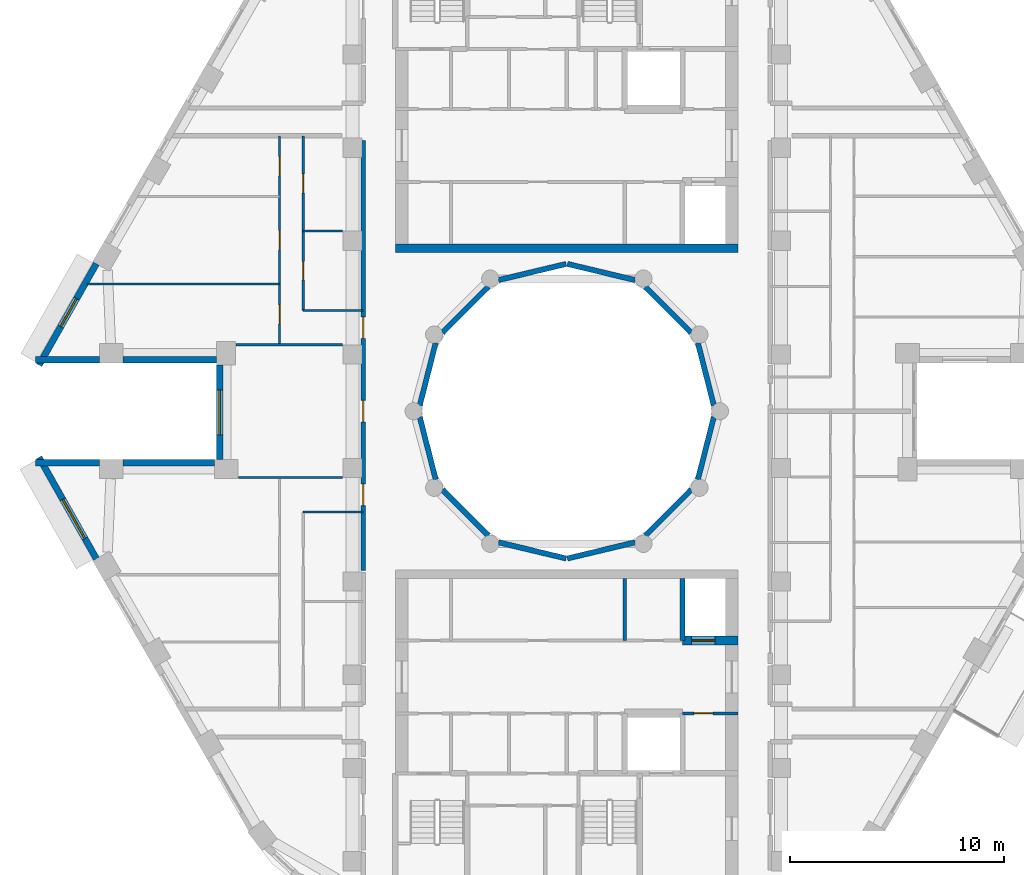
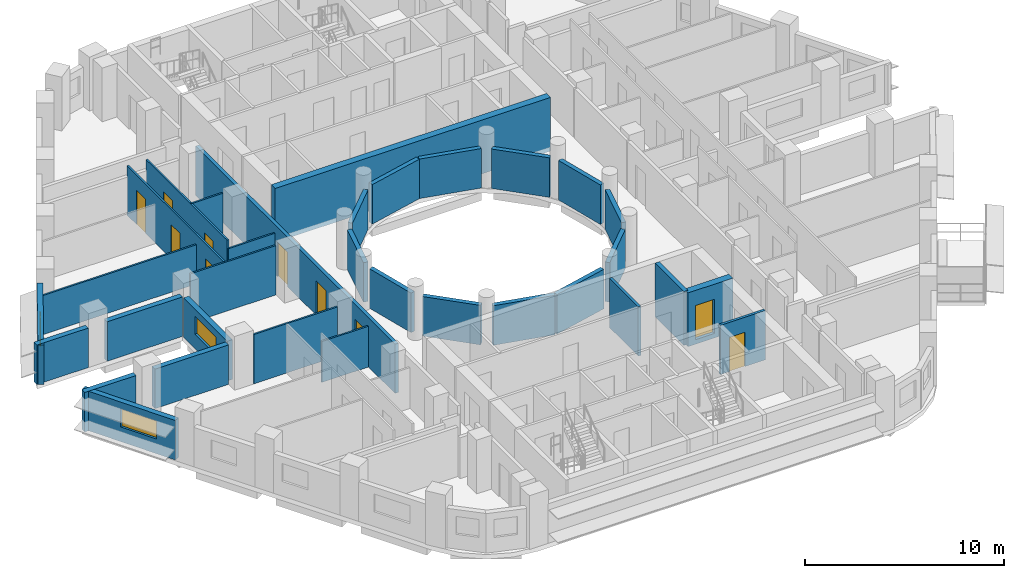
# One storey, part 4 of 12: 33 walls, 10 doors, 3 windows, 13 openings.
"""IFC4 building model written with IfcOpenShell, lengths in metres."""

from ifc_helpers import new_model, si_unit, direction, frame, frame_2d, origin, place, context, subcontext, project, spatial, rectangle, extrude, material, layer, layer_set, type_object, element, fill, save


model = new_model("IFC4")

# Units and contexts
model_context = context("Model", 3, precision=1e-05, world=origin(), true_north=direction((0.0, 1.0)))
body_context = subcontext(model_context, "Body", "Model", "MODEL_VIEW")
ifc_project = project(units=[si_unit("LENGTHUNIT", "METRE"), si_unit("AREAUNIT", "SQUARE_METRE"), si_unit("VOLUMEUNIT", "CUBIC_METRE"), si_unit("PLANEANGLEUNIT", "RADIAN"), si_unit("MASSUNIT", "GRAM", prefix="KILO")], contexts=[model_context])

# Site, building, storey
site_placement = place(None, origin())
site = spatial("IfcSite", under=ifc_project, at=site_placement, CompositionType="ELEMENT")
building_placement = place(site_placement, origin())
building = spatial("IfcBuilding", under=site, at=building_placement, Name="Nakaniwa Court", CompositionType="ELEMENT")
storey_placement = place(building_placement, frame((0.0, 0.0, 236.10009765625)))
storey = spatial("IfcBuildingStorey", under=building, at=storey_placement, Name="L61", CompositionType="ELEMENT", Elevation=236.10009765625)

# Wall, openings, doors
ifc_material_1 = material(Name="Acoustic double stud partition")
ifc_layer_1 = layer(ifc_material_1, 0.199951171875)
ifc_layer_set_1 = layer_set([ifc_layer_1], Name="Acoustic double stud partition")
wall_type_1 = type_object("IfcWallType", Name="Acoustic double stud partition 200", PredefinedType="PARTITIONING", material=ifc_layer_set_1)
wall_1_placement = place(storey_placement, frame((70.5, 72.576904296875, 0.0), z_axis=(0.0, 0.0, 1.0), x_axis=(0.0, 1.0, 0.0)))
wall_1 = element("IfcWall", 1, at=wall_1_placement, inside=storey, type_object=wall_type_1, Name="Partition PW-086", PredefinedType="PARTITIONING", context=body_context, shape_type="SweptSolid", body=[
    extrude(rectangle(XDim=20.051025390625, YDim=0.199951171875, at=frame_2d((10.025390625, 0.0))), origin(), (0.0, 0.0, 1.0), 3.02490234375),
])
opening_1_placement = place(wall_1_placement, frame((3.02294921875, 0.0, 0.0)))
opening_1 = element("IfcOpeningElement", 2, at=opening_1_placement, cuts=wall_1, Name="Opening D-01-03", PredefinedType="OPENING", context=body_context, shape_type="SweptSolid", body=[
    extrude(rectangle(XDim=1.0, YDim=2.10009765625, at=frame_2d((0.5, 1.050048828125))), frame((0.0, 0.10986328125, 0.0), z_axis=(0.0, -1.0, 0.0), x_axis=(1.0, 0.0, 0.0)), (0.0, 0.0, 1.0), 0.219970703125),
])
opening_2_placement = place(wall_1_placement, frame((6.923095703125, 0.0, 0.0)))
opening_2 = element("IfcOpeningElement", 3, at=opening_2_placement, cuts=wall_1, Name="Opening D-02-04", PredefinedType="OPENING", context=body_context, shape_type="SweptSolid", body=[
    extrude(rectangle(XDim=1.0, YDim=2.10009765625, at=frame_2d((0.5, 1.050048828125))), frame((0.0, 0.10986328125, 0.0), z_axis=(0.0, -1.0, 0.0), x_axis=(1.0, 0.0, 0.0)), (0.0, 0.0, 1.0), 0.219970703125),
])
opening_3_placement = place(wall_1_placement, frame((10.822998046875, 0.0, 0.0)))
opening_3 = element("IfcOpeningElement", 4, at=opening_3_placement, cuts=wall_1, Name="Opening D-01-04", PredefinedType="OPENING", context=body_context, shape_type="SweptSolid", body=[
    extrude(rectangle(XDim=1.0, YDim=2.10009765625, at=frame_2d((0.5, 1.050048828125))), frame((0.0, 0.10986328125, 0.0), z_axis=(0.0, -1.0, 0.0), x_axis=(1.0, 0.0, 0.0)), (0.0, 0.0, 1.0), 0.219970703125),
])
ifc_material_2 = material(Name="Solid core timber door set, black veneer", Category="wood")
door_type_1 = type_object("IfcDoorType", Name="Flat entrance door 1000", OperationType="NOTDEFINED", PredefinedType="DOOR", material=ifc_material_2)
door_1_placement = place(opening_1_placement, origin())
door_1 = element("IfcDoor", 5, at=door_1_placement, inside=storey, type_object=door_type_1, Name="Door D-01-03 L61-048", OperationType="SINGLE_SWING_LEFT", OverallHeight=2.10009765625, OverallWidth=1.0, PredefinedType="DOOR", context=body_context, shape_type="SweptSolid", body=[
    extrude(rectangle(XDim=1.0, YDim=2.10009765625, at=frame_2d((0.5, 1.050048828125))), frame((0.0, 0.02490234375, 0.0), z_axis=(0.0, -1.0, 0.0), x_axis=(1.0, 0.0, 0.0)), (0.0, 0.0, 1.0), 0.050048828125),
])
fill(opening_1, door_1)
door_2_placement = place(opening_3_placement, origin())
door_2 = element("IfcDoor", 6, at=door_2_placement, inside=storey, type_object=door_type_1, Name="Door D-01-04 L61-055", OperationType="SINGLE_SWING_RIGHT", OverallHeight=2.10009765625, OverallWidth=1.0, PredefinedType="DOOR", context=body_context, shape_type="SweptSolid", body=[
    extrude(rectangle(XDim=1.0, YDim=2.10009765625, at=frame_2d((0.5, 1.050048828125))), frame((0.0, 0.02490234375, 0.0), z_axis=(0.0, -1.0, 0.0), x_axis=(1.0, 0.0, 0.0)), (0.0, 0.0, 1.0), 0.050048828125),
])
fill(opening_3, door_2)
door_type_2 = type_object("IfcDoorType", Name="Internal door 1000", OperationType="NOTDEFINED", PredefinedType="DOOR", material=ifc_material_2)
door_3_placement = place(opening_2_placement, origin())
door_3 = element("IfcDoor", 7, at=door_3_placement, inside=storey, type_object=door_type_2, Name="Door D-02-04 L61-054", OperationType="SINGLE_SWING_LEFT", OverallHeight=2.10009765625, OverallWidth=1.0, PredefinedType="DOOR", context=body_context, shape_type="SweptSolid", body=[
    extrude(rectangle(XDim=1.0, YDim=2.10009765625, at=frame_2d((0.5, 1.050048828125))), frame((0.0, 0.02490234375, 0.0), z_axis=(0.0, -1.0, 0.0), x_axis=(1.0, 0.0, 0.0)), (0.0, 0.0, 1.0), 0.050048828125),
])
fill(opening_2, door_3)

# Wall, opening, window
ifc_material_3 = material(Name="Charcoal ceramic cladding")
ifc_layer_2 = layer(ifc_material_3, 0.02, Name="Ceramic cladding")
ifc_material_4 = material(Name="Ventilated air cavity")
ifc_layer_3 = layer(ifc_material_4, 0.04, ventilated=True, Name="Ventilated cavity")
ifc_material_5 = material(Name="Mineral wool insulation")
ifc_layer_4 = layer(ifc_material_5, 0.1, Name="Insulation")
ifc_material_6 = material(Name="Cement bonded sheathing board")
ifc_layer_5 = layer(ifc_material_6, 0.012, Name="Sheathing")
ifc_material_7 = material(Name="Cold-formed galvanised stud frame with mineral wool infill")
ifc_layer_6 = layer(ifc_material_7, 0.1, Name="Stud frame")
ifc_material_8 = material(Name="Fire-rated gypsum plasterboard lining")
ifc_layer_7 = layer(ifc_material_8, 0.028, Name="Lining")
ifc_layer_set_2 = layer_set([ifc_layer_2, ifc_layer_3, ifc_layer_4, ifc_layer_5, ifc_layer_6, ifc_layer_7], Name="Charcoal ceramic faced external wall system")
wall_type_2 = type_object("IfcWallType", Name="Black ceramic faced external wall 300", PredefinedType="SOLIDWALL", material=ifc_layer_set_2)
wall_2_placement = place(storey_placement, frame((58.048095703125, 86.886474609375, 0.0), z_axis=(0.0, 0.0, 1.0), x_axis=(-0.492080931903, -0.870549456641, 0.0)))
wall_2 = element("IfcWall", 8, at=wall_2_placement, inside=storey, type_object=wall_type_2, Name="L61 external wall 14", PredefinedType="SOLIDWALL", context=body_context, shape_type="SweptSolid", body=[
    extrude(rectangle(XDim=5.436767578125, YDim=0.300048828125, at=frame_2d((2.71826171875, 0.0))), origin(), (0.0, 0.0, 1.0), 2.4248046875),
])
opening_4_placement = place(wall_2_placement, frame((1.877685546875, 0.0, 0.89990234375)))
opening_4 = element("IfcOpeningElement", 9, at=opening_4_placement, cuts=wall_2, Name="Opening W5.17", PredefinedType="OPENING", context=body_context, shape_type="SweptSolid", body=[
    extrude(rectangle(XDim=1.5, YDim=1.10009765625, at=frame_2d((0.75, 0.550048828125))), frame((0.0, 0.159912109375, 0.0), z_axis=(0.0, -1.0, 0.0), x_axis=(1.0, 0.0, 0.0)), (0.0, 0.0, 1.0), 0.320068359375),
])
ifc_material_9 = material(Name="Black anodised aluminium frame with dark low-E laminated double glazing", Category="aluminium")
window_type_1 = type_object("IfcWindowType", Name="Dark glass window 1500x1100 sill 900", PartitioningType="SINGLE_PANEL", PredefinedType="WINDOW", material=ifc_material_9)
window_1_placement = place(opening_4_placement, origin())
window_1 = element("IfcWindow", 10, at=window_1_placement, inside=storey, type_object=window_type_1, Name="L61 bedroom window 14-1", OverallHeight=1.10009765625, OverallWidth=1.5, PartitioningType="SINGLE_PANEL", PredefinedType="WINDOW", context=body_context, shape_type="SweptSolid", body=[
    extrude(rectangle(XDim=1.5, YDim=1.10009765625, at=frame_2d((0.75, 0.550048828125))), frame((0.0, 0.030029296875, 0.0), z_axis=(0.0, -1.0, 0.0), x_axis=(1.0, 0.0, 0.0)), (0.0, 0.0, 1.0), 0.06005859375),
])
fill(opening_4, window_1)

# Walls
wall_3_placement = place(storey_placement, frame((55.2021484375, 82.39990234375, 0.0), z_axis=(0.0, 0.0, 1.0), x_axis=(1.0, 0.0, 0.0)))
element("IfcWall", 11, at=wall_3_placement, inside=storey, type_object=wall_type_2, Name="L61 external wall 15", PredefinedType="SOLIDWALL", context=body_context, shape_type="SweptSolid", body=[
    extrude(rectangle(XDim=2.98779296875, YDim=0.300048828125, at=frame_2d((1.493896484375, 0.0))), origin(), (0.0, 0.0, 1.0), 2.4248046875),
])
wall_4_placement = place(storey_placement, frame((59.281982421875, 82.39990234375, 0.0), z_axis=(0.0, 0.0, 1.0), x_axis=(1.0, 0.0, 0.0)))
element("IfcWall", 12, at=wall_4_placement, inside=storey, type_object=wall_type_2, Name="L61 external wall 16", PredefinedType="SOLIDWALL", context=body_context, shape_type="SweptSolid", body=[
    extrude(rectangle(XDim=4.37255859375, YDim=0.300048828125, at=frame_2d((2.186279296875, 0.0))), origin(), (0.0, 0.0, 1.0), 2.4248046875),
])

# Wall, opening, window
wall_5_placement = place(storey_placement, frame((63.800537109375, 82.154052734375, 0.0), z_axis=(0.0, 0.0, 1.0), x_axis=(0.0, -1.0, 0.0)))
wall_5 = element("IfcWall", 13, at=wall_5_placement, inside=storey, type_object=wall_type_2, Name="L61 external wall 17", PredefinedType="SOLIDWALL", context=body_context, shape_type="SweptSolid", body=[
    extrude(rectangle(XDim=4.407958984375, YDim=0.300048828125, at=frame_2d((2.2041015625, 0.0))), origin(), (0.0, 0.0, 1.0), 2.4248046875),
])
opening_5_placement = place(wall_5_placement, frame((1.154052734375, 0.0, 0.89990234375)))
opening_5 = element("IfcOpeningElement", 14, at=opening_5_placement, cuts=wall_5, Name="Opening W7.18", PredefinedType="OPENING", context=body_context, shape_type="SweptSolid", body=[
    extrude(rectangle(XDim=2.10009765625, YDim=1.10009765625, at=frame_2d((1.050048828125, 0.550048828125))), frame((0.0, 0.159912109375, 0.0), z_axis=(0.0, -1.0, 0.0), x_axis=(1.0, 0.0, 0.0)), (0.0, 0.0, 1.0), 0.320068359375),
])
window_type_2 = type_object("IfcWindowType", Name="Dark glass window 2100x1100 sill 900", PartitioningType="SINGLE_PANEL", PredefinedType="WINDOW", material=ifc_material_9)
window_2_placement = place(opening_5_placement, origin())
window_2 = element("IfcWindow", 15, at=window_2_placement, inside=storey, type_object=window_type_2, Name="L61 habitable room window 17-0", OverallHeight=1.10009765625, OverallWidth=2.10009765625, PartitioningType="SINGLE_PANEL", PredefinedType="WINDOW", context=body_context, shape_type="SweptSolid", body=[
    extrude(rectangle(XDim=2.10009765625, YDim=1.10009765625, at=frame_2d((1.050048828125, 0.550048828125))), frame((0.0, 0.030029296875, 0.0), z_axis=(0.0, -1.0, 0.0), x_axis=(1.0, 0.0, 0.0)), (0.0, 0.0, 1.0), 0.06005859375),
])
fill(opening_5, window_2)

# Walls
wall_6_placement = place(storey_placement, frame((63.554443359375, 77.60009765625, 0.0), z_axis=(0.0, 0.0, 1.0), x_axis=(-1.0, 0.0, 0.0)))
element("IfcWall", 16, at=wall_6_placement, inside=storey, type_object=wall_type_2, Name="L61 external wall 18", PredefinedType="SOLIDWALL", context=body_context, shape_type="SweptSolid", body=[
    extrude(rectangle(XDim=4.2724609375, YDim=0.300048828125, at=frame_2d((2.13623046875, 0.0))), origin(), (0.0, 0.0, 1.0), 2.4248046875),
])
wall_7_placement = place(storey_placement, frame((58.18994140625, 77.60009765625, 0.0), z_axis=(0.0, 0.0, 1.0), x_axis=(-1.0, 0.0, 0.0)))
element("IfcWall", 17, at=wall_7_placement, inside=storey, type_object=wall_type_2, Name="L61 external wall 19", PredefinedType="SOLIDWALL", context=body_context, shape_type="SweptSolid", body=[
    extrude(rectangle(XDim=2.98779296875, YDim=0.300048828125, at=frame_2d((1.493896484375, 0.0))), origin(), (0.0, 0.0, 1.0), 2.4248046875),
])

# Wall, opening, window
wall_8_placement = place(storey_placement, frame((55.372802734375, 77.846435546875, 0.0), z_axis=(0.0, 0.0, 1.0), x_axis=(0.492080931903, -0.870549456641, 0.0)))
wall_8 = element("IfcWall", 18, at=wall_8_placement, inside=storey, type_object=wall_type_2, Name="L61 external wall 20", PredefinedType="SOLIDWALL", context=body_context, shape_type="SweptSolid", body=[
    extrude(rectangle(XDim=5.436767578125, YDim=0.300048828125, at=frame_2d((2.71826171875, 0.0))), origin(), (0.0, 0.0, 1.0), 2.4248046875),
])
opening_6_placement = place(wall_8_placement, frame((2.247314453125, 0.0, 0.89990234375)))
opening_6 = element("IfcOpeningElement", 19, at=opening_6_placement, cuts=wall_8, Name="Opening W7.19", PredefinedType="OPENING", context=body_context, shape_type="SweptSolid", body=[
    extrude(rectangle(XDim=2.10009765625, YDim=1.10009765625, at=frame_2d((1.050048828125, 0.550048828125))), frame((0.0, 0.159912109375, 0.0), z_axis=(0.0, -1.0, 0.0), x_axis=(1.0, 0.0, 0.0)), (0.0, 0.0, 1.0), 0.320068359375),
])
window_3_placement = place(opening_6_placement, origin())
window_3 = element("IfcWindow", 20, at=window_3_placement, inside=storey, type_object=window_type_2, Name="L61 living window 20-0", OverallHeight=1.10009765625, OverallWidth=2.10009765625, PartitioningType="SINGLE_PANEL", PredefinedType="WINDOW", context=body_context, shape_type="SweptSolid", body=[
    extrude(rectangle(XDim=2.10009765625, YDim=1.10009765625, at=frame_2d((1.050048828125, 0.550048828125))), frame((0.0, 0.030029296875, 0.0), z_axis=(0.0, -1.0, 0.0), x_axis=(1.0, 0.0, 0.0)), (0.0, 0.0, 1.0), 0.06005859375),
])
fill(opening_6, window_3)

# Wall
ifc_material_10 = material(Name="Blockwork partition", Category="masonry")
ifc_layer_8 = layer(ifc_material_10, 0.14990234375)
ifc_layer_set_3 = layer_set([ifc_layer_8], Name="Blockwork partition")
wall_type_3 = type_object("IfcWallType", Name="Blockwork partition 150", PredefinedType="PARTITIONING", material=ifc_layer_set_3)
wall_9_placement = place(storey_placement, frame((82.699951171875, 69.300048828125, 0.0), z_axis=(0.0, 0.0, 1.0), x_axis=(0.0, 1.0, 0.0)))
element("IfcWall", 21, at=wall_9_placement, inside=storey, type_object=wall_type_3, Name="Partition PW-037", PredefinedType="PARTITIONING", context=body_context, shape_type="SweptSolid", body=[
    extrude(rectangle(XDim=2.89990234375, YDim=0.14990234375, at=frame_2d((1.449951171875, 0.0))), origin(), (0.0, 0.0, 1.0), 3.02490234375),
])

# Wall, opening, door
wall_10_placement = place(storey_placement, frame((88.0, 65.89990234375, 0.0), z_axis=(0.0, 0.0, 1.0), x_axis=(-1.0, 0.0, 0.0)))
wall_10 = element("IfcWall", 22, at=wall_10_placement, inside=storey, type_object=wall_type_3, Name="Partition PW-039", PredefinedType="PARTITIONING", context=body_context, shape_type="SweptSolid", body=[
    extrude(rectangle(XDim=2.60302734375, YDim=0.14990234375, at=frame_2d((1.301513671875, 0.0))), origin(), (0.0, 0.0, 1.0), 3.02490234375),
])
opening_7_placement = place(wall_10_placement, frame((1.175048828125, 0.0, 0.0)))
opening_7 = element("IfcOpeningElement", 23, at=opening_7_placement, cuts=wall_10, Name="Opening D-05-16", PredefinedType="OPENING", context=body_context, shape_type="SweptSolid", body=[
    extrude(rectangle(XDim=0.89990234375, YDim=2.10009765625, at=frame_2d((0.449951171875, 1.050048828125))), frame((0.0, 0.0849609375, 0.0), z_axis=(0.0, -1.0, 0.0), x_axis=(1.0, 0.0, 0.0)), (0.0, 0.0, 1.0), 0.169921875),
])
ifc_material_11 = material(Name="Fire rated steel door set", Category="steel")
door_type_3 = type_object("IfcDoorType", Name="Service room door 900", OperationType="NOTDEFINED", PredefinedType="DOOR", material=ifc_material_11)
door_4_placement = place(opening_7_placement, origin())
door_4 = element("IfcDoor", 24, at=door_4_placement, inside=storey, type_object=door_type_3, Name="Door D-05-16 L61-023", OperationType="SINGLE_SWING_RIGHT", OverallHeight=2.10009765625, OverallWidth=0.89990234375, PredefinedType="DOOR", context=body_context, shape_type="SweptSolid", body=[
    extrude(rectangle(XDim=0.89990234375, YDim=2.10009765625, at=frame_2d((0.449951171875, 1.050048828125))), frame((0.0, 0.02490234375, 0.0), z_axis=(0.0, -1.0, 0.0), x_axis=(1.0, 0.0, 0.0)), (0.0, 0.0, 1.0), 0.050048828125),
])
fill(opening_7, door_4)

# Walls
ifc_layer_9 = layer(ifc_material_3, 0.02, Name="Ceramic cladding")
ifc_layer_10 = layer(ifc_material_4, 0.04, ventilated=True, Name="Ventilated cavity")
ifc_layer_11 = layer(ifc_material_5, 0.075, Name="Insulation")
ifc_layer_12 = layer(ifc_material_6, 0.012, Name="Sheathing")
ifc_layer_13 = layer(ifc_material_7, 0.075, Name="Stud frame")
ifc_layer_14 = layer(ifc_material_8, 0.028, Name="Lining")
ifc_layer_set_4 = layer_set([ifc_layer_9, ifc_layer_10, ifc_layer_11, ifc_layer_12, ifc_layer_13, ifc_layer_14], Name="Charcoal ceramic faced external wall system")
wall_type_4 = type_object("IfcWallType", Name="Charcoal ceramic faced well wall 250", PredefinedType="SOLIDWALL", material=ifc_layer_set_4)
wall_11_placement = place(storey_placement, frame((86.8603515625, 79.72998046875, 0.0), z_axis=(0.0, 0.0, 1.0), x_axis=(-0.247055971283, -0.969001211069, 0.0)))
element("IfcWall", 25, at=wall_11_placement, inside=storey, type_object=wall_type_4, Name="L61 external wall 36", PredefinedType="SOLIDWALL", context=body_context, shape_type="SweptSolid", body=[
    extrude(rectangle(XDim=3.010009765625, YDim=0.25, at=frame_2d((1.5048828125, 0.0))), origin(), (0.0, 0.0, 1.0), 2.4248046875),
])
wall_12_placement = place(storey_placement, frame((85.8056640625, 76.339111328125, 0.0), z_axis=(0.0, 0.0, 1.0), x_axis=(-0.707106781187, -0.707106781187, 0.0)))
element("IfcWall", 26, at=wall_12_placement, inside=storey, type_object=wall_type_4, Name="L61 external wall 37", PredefinedType="SOLIDWALL", context=body_context, shape_type="SweptSolid", body=[
    extrude(rectangle(XDim=3.033203125, YDim=0.25, at=frame_2d((1.5166015625, 0.0))), origin(), (0.0, 0.0, 1.0), 2.4248046875),
])
for number, where, z_axis, x_axis, name in (
    (27, (83.186279296875, 73.880615234375, 0.0), (0.0, 0.0, 1.0), (-0.972773113459, -0.231759508395, 0.0), "L61 external wall 38"),
    (28, (79.970947265625, 73.12841796875, 0.0), (0.0, 0.0, 1.0), (-0.972773113459, 0.231759508395, 0.0), "L61 external wall 39"),
):
    element("IfcWall", number, at=place(storey_placement, frame(where, z_axis=z_axis, x_axis=x_axis)), inside=storey, type_object=wall_type_4, Name=name, PredefinedType="SOLIDWALL", context=body_context, shape_type="SweptSolid", body=[
        extrude(rectangle(XDim=3.24560546875, YDim=0.25, at=frame_2d((1.622802734375, 0.0))), origin(), (0.0, 0.0, 1.0), 2.4248046875),
    ])
wall_13_placement = place(storey_placement, frame((76.339111328125, 74.1943359375, 0.0), z_axis=(0.0, 0.0, 1.0), x_axis=(-0.707106781187, 0.707106781187, 0.0)))
element("IfcWall", 29, at=wall_13_placement, inside=storey, type_object=wall_type_4, Name="L61 external wall 40", PredefinedType="SOLIDWALL", context=body_context, shape_type="SweptSolid", body=[
    extrude(rectangle(XDim=3.033203125, YDim=0.25, at=frame_2d((1.5166015625, 0.0))), origin(), (0.0, 0.0, 1.0), 2.4248046875),
])
for number, where, z_axis, x_axis, name in (
    (30, (73.88330078125, 76.813232421875, 0.0), (0.0, 0.0, 1.0), (-0.247055971283, 0.969001211069, 0.0), "L61 external wall 41"),
    (31, (73.1396484375, 80.27001953125, 0.0), (0.0, 0.0, 1.0), (0.247055971283, 0.969001211069, 0.0), "L61 external wall 42"),
):
    element("IfcWall", number, at=place(storey_placement, frame(where, z_axis=z_axis, x_axis=x_axis)), inside=storey, type_object=wall_type_4, Name=name, PredefinedType="SOLIDWALL", context=body_context, shape_type="SweptSolid", body=[
        extrude(rectangle(XDim=3.010009765625, YDim=0.25, at=frame_2d((1.5048828125, 0.0))), origin(), (0.0, 0.0, 1.0), 2.4248046875),
    ])
wall_14_placement = place(storey_placement, frame((74.1943359375, 83.660888671875, 0.0), z_axis=(0.0, 0.0, 1.0), x_axis=(0.707106781187, 0.707106781187, 0.0)))
element("IfcWall", 32, at=wall_14_placement, inside=storey, type_object=wall_type_4, Name="L61 external wall 43", PredefinedType="SOLIDWALL", context=body_context, shape_type="SweptSolid", body=[
    extrude(rectangle(XDim=3.033203125, YDim=0.25, at=frame_2d((1.5166015625, 0.0))), origin(), (0.0, 0.0, 1.0), 2.4248046875),
])
for number, where, z_axis, x_axis, name in (
    (33, (76.813720703125, 86.119384765625, 0.0), (0.0, 0.0, 1.0), (0.972773113459, 0.231759508395, 0.0), "L61 external wall 44"),
    (34, (80.029052734375, 86.87158203125, 0.0), (0.0, 0.0, 1.0), (0.972773113459, -0.231759508395, 0.0), "L61 external wall 45"),
):
    element("IfcWall", number, at=place(storey_placement, frame(where, z_axis=z_axis, x_axis=x_axis)), inside=storey, type_object=wall_type_4, Name=name, PredefinedType="SOLIDWALL", context=body_context, shape_type="SweptSolid", body=[
        extrude(rectangle(XDim=3.24560546875, YDim=0.25, at=frame_2d((1.622802734375, 0.0))), origin(), (0.0, 0.0, 1.0), 2.4248046875),
    ])
wall_15_placement = place(storey_placement, frame((83.660888671875, 85.8056640625, 0.0), z_axis=(0.0, 0.0, 1.0), x_axis=(0.707106781187, -0.707106781187, 0.0)))
element("IfcWall", 35, at=wall_15_placement, inside=storey, type_object=wall_type_4, Name="L61 external wall 46", PredefinedType="SOLIDWALL", context=body_context, shape_type="SweptSolid", body=[
    extrude(rectangle(XDim=3.033203125, YDim=0.25, at=frame_2d((1.5166015625, 0.0))), origin(), (0.0, 0.0, 1.0), 2.4248046875),
])
wall_16_placement = place(storey_placement, frame((86.11669921875, 83.186767578125, 0.0), z_axis=(0.0, 0.0, 1.0), x_axis=(0.247055971283, -0.969001211069, 0.0)))
element("IfcWall", 36, at=wall_16_placement, inside=storey, type_object=wall_type_4, Name="L61 external wall 47", PredefinedType="SOLIDWALL", context=body_context, shape_type="SweptSolid", body=[
    extrude(rectangle(XDim=3.010009765625, YDim=0.25, at=frame_2d((1.5048828125, 0.0))), origin(), (0.0, 0.0, 1.0), 2.4248046875),
])

# Wall, opening, door
ifc_material_12 = material(Name="Concrete C80/100", Category="concrete")
ifc_layer_15 = layer(ifc_material_12, 0.39990234375)
ifc_layer_set_5 = layer_set([ifc_layer_15], Name="Concrete C80/100")
wall_type_5 = type_object("IfcWallType", Name="Concrete core spine wall 400 C80", PredefinedType="SHEAR", material=ifc_layer_set_5)
wall_17_placement = place(storey_placement, frame((85.39990234375, 69.300048828125, -0.275146484375), z_axis=(0.0, 0.0, 1.0), x_axis=(1.0, 0.0, 0.0)))
wall_17 = element("IfcWall", 37, at=wall_17_placement, inside=storey, type_object=wall_type_5, Name="Core wall SW-35", PredefinedType="SHEAR", context=body_context, shape_type="SweptSolid", body=[
    extrude(rectangle(XDim=2.60009765625, YDim=0.39990234375, at=frame_2d((1.300048828125, 0.0))), origin(), (0.0, 0.0, 1.0), 3.300048828125),
])
opening_8_placement = place(wall_17_placement, frame((0.425048828125, 0.0, 0.27490234375)))
opening_8 = element("IfcOpeningElement", 38, at=opening_8_placement, cuts=wall_17, Name="Opening LD03", PredefinedType="OPENING", context=body_context, shape_type="SweptSolid", body=[
    extrude(rectangle(XDim=1.10009765625, YDim=2.10009765625, at=frame_2d((0.550048828125, 1.050048828125))), frame((0.0, 0.2099609375, 0.0), z_axis=(0.0, -1.0, 0.0), x_axis=(1.0, 0.0, 0.0)), (0.0, 0.0, 1.0), 0.419921875),
])
ifc_material_13 = material(Name="Stainless steel sliding lift landing door", Category="steel")
door_type_4 = type_object("IfcDoorType", Name="Lift landing door 1100", OperationType="NOTDEFINED", PredefinedType="DOOR", material=ifc_material_13)
door_5_placement = place(opening_8_placement, origin())
door_5 = element("IfcDoor", 39, at=door_5_placement, inside=storey, type_object=door_type_4, Name="Lift landing door LD03 L61-003", OperationType="SLIDING_TO_LEFT", OverallHeight=2.10009765625, OverallWidth=1.10009765625, PredefinedType="DOOR", context=body_context, shape_type="SweptSolid", body=[
    extrude(rectangle(XDim=1.10009765625, YDim=2.10009765625, at=frame_2d((0.550048828125, 1.050048828125))), frame((0.0, 0.02490234375, 0.0), z_axis=(0.0, -1.0, 0.0), x_axis=(1.0, 0.0, 0.0)), (0.0, 0.0, 1.0), 0.050048828125),
])
fill(opening_8, door_5)

# Walls
ifc_layer_16 = layer(ifc_material_12, 0.39990234375)
ifc_layer_set_6 = layer_set([ifc_layer_16], Name="Concrete C80/100")
wall_type_6 = type_object("IfcWallType", Name="Concrete core well wall 400 C80", PredefinedType="SHEAR", material=ifc_layer_set_6)
wall_18_placement = place(storey_placement, frame((72.00390625, 87.60009765625, -0.275146484375), z_axis=(0.0, 0.0, 1.0), x_axis=(1.0, 0.0, 0.0)))
element("IfcWall", 40, at=wall_18_placement, inside=storey, type_object=wall_type_6, Name="Core wall SW-120", PredefinedType="SHEAR", context=body_context, shape_type="SweptSolid", body=[
    extrude(rectangle(XDim=15.9921875, YDim=0.39990234375, at=frame_2d((7.99609375, 0.0))), origin(), (0.0, 0.0, 1.0), 3.300048828125),
])
ifc_layer_17 = layer(ifc_material_12, 0.25)
ifc_layer_set_7 = layer_set([ifc_layer_17], Name="Concrete C80/100")
wall_type_7 = type_object("IfcWallType", Name="Concrete shaft wall 250 C80", PredefinedType="SHEAR", material=ifc_layer_set_7)
wall_19_placement = place(storey_placement, frame((85.39990234375, 69.300048828125, -0.275146484375), z_axis=(0.0, 0.0, 1.0), x_axis=(0.0, 1.0, 0.0)))
element("IfcWall", 41, at=wall_19_placement, inside=storey, type_object=wall_type_7, Name="Core wall SW-34", PredefinedType="SHEAR", context=body_context, shape_type="SweptSolid", body=[
    extrude(rectangle(XDim=2.89990234375, YDim=0.25, at=frame_2d((1.449951171875, 0.0))), origin(), (0.0, 0.0, 1.0), 3.300048828125),
])

# Wall, openings, doors
ifc_material_14 = material(Name="Single stud plasterboard partition")
ifc_layer_18 = layer(ifc_material_14, 0.10009765625)
ifc_layer_set_8 = layer_set([ifc_layer_18], Name="Single stud plasterboard partition")
wall_type_8 = type_object("IfcWallType", Name="Single stud plasterboard partition 100", PredefinedType="PARTITIONING", material=ifc_layer_set_8)
wall_20_placement = place(storey_placement, frame((67.699951171875, 92.85009765625, 0.0), z_axis=(0.0, 0.0, 1.0), x_axis=(0.0, -1.0, 0.0)))
wall_20 = element("IfcWall", 42, at=wall_20_placement, inside=storey, type_object=wall_type_8, Name="Partition PW-108", PredefinedType="PARTITIONING", context=body_context, shape_type="SweptSolid", body=[
    extrude(rectangle(XDim=8.150146484375, YDim=0.10009765625, at=frame_2d((4.0751953125, 0.0))), origin(), (0.0, 0.0, 1.0), 3.02490234375),
])
opening_9_placement = place(wall_20_placement, frame((5.873046875, 0.0, 0.0)))
opening_9 = element("IfcOpeningElement", 43, at=opening_9_placement, cuts=wall_20, Name="Opening D-03-06", PredefinedType="OPENING", context=body_context, shape_type="SweptSolid", body=[
    extrude(rectangle(XDim=0.85009765625, YDim=2.10009765625, at=frame_2d((0.425048828125, 1.050048828125))), frame((0.0, 0.06005859375, 0.0), z_axis=(0.0, -1.0, 0.0), x_axis=(1.0, 0.0, 0.0)), (0.0, 0.0, 1.0), 0.1201171875),
])
opening_10_placement = place(wall_20_placement, frame((1.77294921875, 0.0, 0.0)))
opening_10 = element("IfcOpeningElement", 44, at=opening_10_placement, cuts=wall_20, Name="Opening D-33-15", PredefinedType="OPENING", context=body_context, shape_type="SweptSolid", body=[
    extrude(rectangle(XDim=0.89990234375, YDim=2.10009765625, at=frame_2d((0.449951171875, 1.050048828125))), frame((0.0, 0.06005859375, 0.0), z_axis=(0.0, -1.0, 0.0), x_axis=(1.0, 0.0, 0.0)), (0.0, 0.0, 1.0), 0.1201171875),
])
ifc_material_15 = material(Name="Moisture sealed timber door set", Category="wood")
door_type_5 = type_object("IfcDoorType", Name="Bathroom door 850", OperationType="NOTDEFINED", PredefinedType="DOOR", material=ifc_material_15)
door_6_placement = place(opening_9_placement, origin())
door_6 = element("IfcDoor", 45, at=door_6_placement, inside=storey, type_object=door_type_5, Name="Door D-03-06 L61-056", OperationType="SINGLE_SWING_LEFT", OverallHeight=2.10009765625, OverallWidth=0.85009765625, PredefinedType="DOOR", context=body_context, shape_type="SweptSolid", body=[
    extrude(rectangle(XDim=0.85009765625, YDim=2.10009765625, at=frame_2d((0.425048828125, 1.050048828125))), frame((0.0, 0.02490234375, 0.0), z_axis=(0.0, -1.0, 0.0), x_axis=(1.0, 0.0, 0.0)), (0.0, 0.0, 1.0), 0.050048828125),
])
fill(opening_9, door_6)
door_type_6 = type_object("IfcDoorType", Name="Internal door 900", OperationType="NOTDEFINED", PredefinedType="DOOR", material=ifc_material_2)
door_7_placement = place(opening_10_placement, origin())
door_7 = element("IfcDoor", 46, at=door_7_placement, inside=storey, type_object=door_type_6, Name="Door D-33-15 L61-057", OperationType="SINGLE_SWING_RIGHT", OverallHeight=2.10009765625, OverallWidth=0.89990234375, PredefinedType="DOOR", context=body_context, shape_type="SweptSolid", body=[
    extrude(rectangle(XDim=0.89990234375, YDim=2.10009765625, at=frame_2d((0.449951171875, 1.050048828125))), frame((0.0, 0.02490234375, 0.0), z_axis=(0.0, -1.0, 0.0), x_axis=(1.0, 0.0, 0.0)), (0.0, 0.0, 1.0), 0.050048828125),
])
fill(opening_10, door_7)

# Wall
wall_21_placement = place(storey_placement, frame((67.699951171875, 75.300048828125, 0.0), z_axis=(0.0, 0.0, 1.0), x_axis=(1.0, 0.0, 0.0)))
element("IfcWall", 47, at=wall_21_placement, inside=storey, type_object=wall_type_8, Name="Partition PW-109", PredefinedType="PARTITIONING", context=body_context, shape_type="SweptSolid", body=[
    extrude(rectangle(XDim=2.800048828125, YDim=0.10009765625, at=frame_2d((1.39990234375, 0.0))), origin(), (0.0, 0.0, 1.0), 2.5048828125),
])

# Wall, openings, doors
wall_22_placement = place(storey_placement, frame((66.60009765625, 83.10009765625, 0.0), z_axis=(0.0, 0.0, 1.0), x_axis=(0.0, 1.0, 0.0)))
wall_22 = element("IfcWall", 48, at=wall_22_placement, inside=storey, type_object=wall_type_8, Name="Partition PW-111", PredefinedType="PARTITIONING", context=body_context, shape_type="SweptSolid", body=[
    extrude(rectangle(XDim=9.75, YDim=0.10009765625, at=frame_2d((4.875, 0.0))), origin(), (0.0, 0.0, 1.0), 3.02490234375),
])
opening_11_placement = place(wall_22_placement, frame((0.965087890625, 0.0, 0.0)))
opening_11 = element("IfcOpeningElement", 49, at=opening_11_placement, cuts=wall_22, Name="Opening D-33-16", PredefinedType="OPENING", context=body_context, shape_type="SweptSolid", body=[
    extrude(rectangle(XDim=0.89990234375, YDim=2.10009765625, at=frame_2d((0.449951171875, 1.050048828125))), frame((0.0, 0.06005859375, 0.0), z_axis=(0.0, -1.0, 0.0), x_axis=(1.0, 0.0, 0.0)), (0.0, 0.0, 1.0), 0.1201171875),
])
opening_12_placement = place(wall_22_placement, frame((4.425048828125, 0.0, 0.0)))
opening_12 = element("IfcOpeningElement", 50, at=opening_12_placement, cuts=wall_22, Name="Opening D-33-17", PredefinedType="OPENING", context=body_context, shape_type="SweptSolid", body=[
    extrude(rectangle(XDim=0.89990234375, YDim=2.10009765625, at=frame_2d((0.449951171875, 1.050048828125))), frame((0.0, 0.06005859375, 0.0), z_axis=(0.0, -1.0, 0.0), x_axis=(1.0, 0.0, 0.0)), (0.0, 0.0, 1.0), 0.1201171875),
])
opening_13_placement = place(wall_22_placement, frame((7.885009765625, 0.0, 0.0)))
opening_13 = element("IfcOpeningElement", 51, at=opening_13_placement, cuts=wall_22, Name="Opening D-33-18", PredefinedType="OPENING", context=body_context, shape_type="SweptSolid", body=[
    extrude(rectangle(XDim=0.89990234375, YDim=2.10009765625, at=frame_2d((0.449951171875, 1.050048828125))), frame((0.0, 0.06005859375, 0.0), z_axis=(0.0, -1.0, 0.0), x_axis=(1.0, 0.0, 0.0)), (0.0, 0.0, 1.0), 0.1201171875),
])
door_8_placement = place(opening_11_placement, origin())
door_8 = element("IfcDoor", 52, at=door_8_placement, inside=storey, type_object=door_type_6, Name="Door D-33-16 L61-058", OperationType="SINGLE_SWING_LEFT", OverallHeight=2.10009765625, OverallWidth=0.89990234375, PredefinedType="DOOR", context=body_context, shape_type="SweptSolid", body=[
    extrude(rectangle(XDim=0.89990234375, YDim=2.10009765625, at=frame_2d((0.449951171875, 1.050048828125))), frame((0.0, 0.02490234375, 0.0), z_axis=(0.0, -1.0, 0.0), x_axis=(1.0, 0.0, 0.0)), (0.0, 0.0, 1.0), 0.050048828125),
])
fill(opening_11, door_8)
door_9_placement = place(opening_12_placement, origin())
door_9 = element("IfcDoor", 53, at=door_9_placement, inside=storey, type_object=door_type_6, Name="Door D-33-17 L61-059", OperationType="SINGLE_SWING_RIGHT", OverallHeight=2.10009765625, OverallWidth=0.89990234375, PredefinedType="DOOR", context=body_context, shape_type="SweptSolid", body=[
    extrude(rectangle(XDim=0.89990234375, YDim=2.10009765625, at=frame_2d((0.449951171875, 1.050048828125))), frame((0.0, 0.02490234375, 0.0), z_axis=(0.0, -1.0, 0.0), x_axis=(1.0, 0.0, 0.0)), (0.0, 0.0, 1.0), 0.050048828125),
])
fill(opening_12, door_9)
door_10_placement = place(opening_13_placement, origin())
door_10 = element("IfcDoor", 54, at=door_10_placement, inside=storey, type_object=door_type_6, Name="Door D-33-18 L61-060", OperationType="SINGLE_SWING_LEFT", OverallHeight=2.10009765625, OverallWidth=0.89990234375, PredefinedType="DOOR", context=body_context, shape_type="SweptSolid", body=[
    extrude(rectangle(XDim=0.89990234375, YDim=2.10009765625, at=frame_2d((0.449951171875, 1.050048828125))), frame((0.0, 0.02490234375, 0.0), z_axis=(0.0, -1.0, 0.0), x_axis=(1.0, 0.0, 0.0)), (0.0, 0.0, 1.0), 0.050048828125),
])
fill(opening_13, door_10)

# Walls
wall_23_placement = place(storey_placement, frame((64.67041015625, 76.89990234375, 0.0), z_axis=(0.0, 0.0, 1.0), x_axis=(1.0, 0.0, 0.0)))
element("IfcWall", 55, at=wall_23_placement, inside=storey, type_object=wall_type_8, Name="Partition PW-112", PredefinedType="PARTITIONING", context=body_context, shape_type="SweptSolid", body=[
    extrude(rectangle(XDim=4.859619140625, YDim=0.10009765625, at=frame_2d((2.4296875, 0.0))), origin(), (0.0, 0.0, 1.0), 3.02490234375),
])
wall_24_placement = place(storey_placement, frame((64.570556640625, 83.10009765625, 0.0), z_axis=(0.0, 0.0, 1.0), x_axis=(1.0, 0.0, 0.0)))
element("IfcWall", 56, at=wall_24_placement, inside=storey, type_object=wall_type_8, Name="Partition PW-115", PredefinedType="PARTITIONING", context=body_context, shape_type="SweptSolid", body=[
    extrude(rectangle(XDim=4.95947265625, YDim=0.10009765625, at=frame_2d((2.479736328125, 0.0))), origin(), (0.0, 0.0, 1.0), 3.02490234375),
])
wall_25_placement = place(storey_placement, frame((67.699951171875, 88.404052734375, 0.0), z_axis=(0.0, 0.0, 1.0), x_axis=(1.0, 0.0, 0.0)))
element("IfcWall", 57, at=wall_25_placement, inside=storey, type_object=wall_type_8, Name="Partition PW-116", PredefinedType="PARTITIONING", context=body_context, shape_type="SweptSolid", body=[
    extrude(rectangle(XDim=1.830078125, YDim=0.10009765625, at=frame_2d((0.9150390625, 0.0))), origin(), (0.0, 0.0, 1.0), 3.02490234375),
])
wall_26_placement = place(storey_placement, frame((67.699951171875, 84.699951171875, 0.0), z_axis=(0.0, 0.0, 1.0), x_axis=(1.0, 0.0, 0.0)))
element("IfcWall", 58, at=wall_26_placement, inside=storey, type_object=wall_type_8, Name="Partition PW-117", PredefinedType="PARTITIONING", context=body_context, shape_type="SweptSolid", body=[
    extrude(rectangle(XDim=2.800048828125, YDim=0.10009765625, at=frame_2d((1.39990234375, 0.0))), origin(), (0.0, 0.0, 1.0), 2.5048828125),
])
wall_27_placement = place(storey_placement, frame((57.616455078125, 85.930908203125, 0.0), z_axis=(0.0, 0.0, 1.0), x_axis=(1.0, 0.0, 0.0)))
element("IfcWall", 59, at=wall_27_placement, inside=storey, type_object=wall_type_8, Name="Partition PW-118", PredefinedType="PARTITIONING", context=body_context, shape_type="SweptSolid", body=[
    extrude(rectangle(XDim=8.983642578125, YDim=0.10009765625, at=frame_2d((4.49169921875, 0.0))), origin(), (0.0, 0.0, 1.0), 2.40478515625),
])

save(model, "model.ifc")
